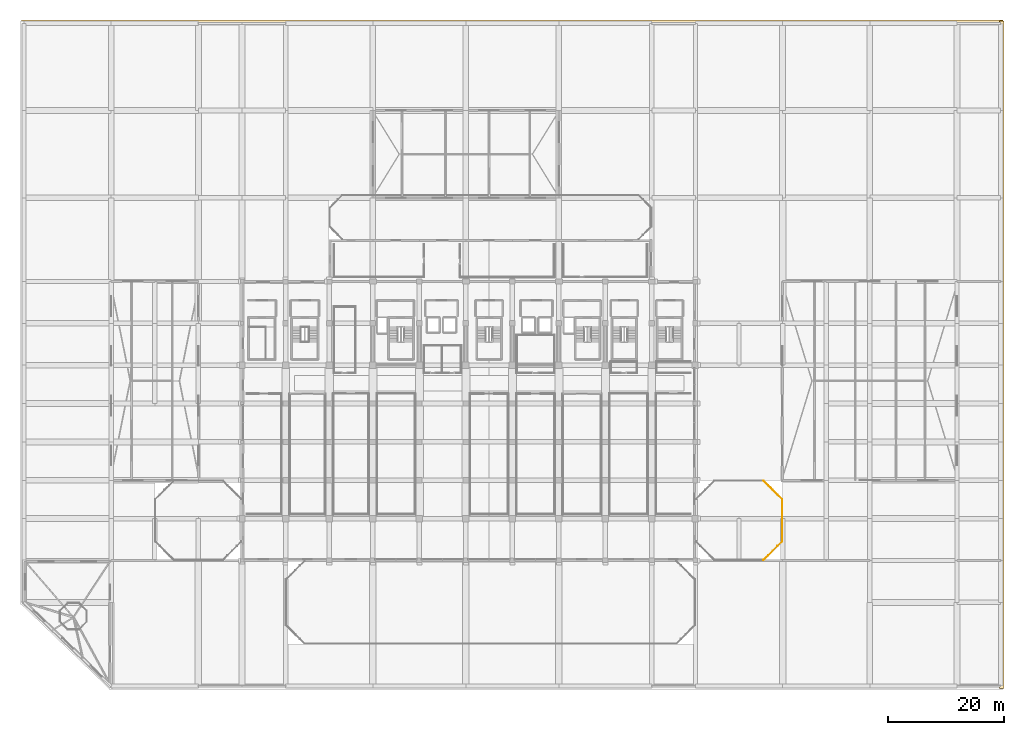
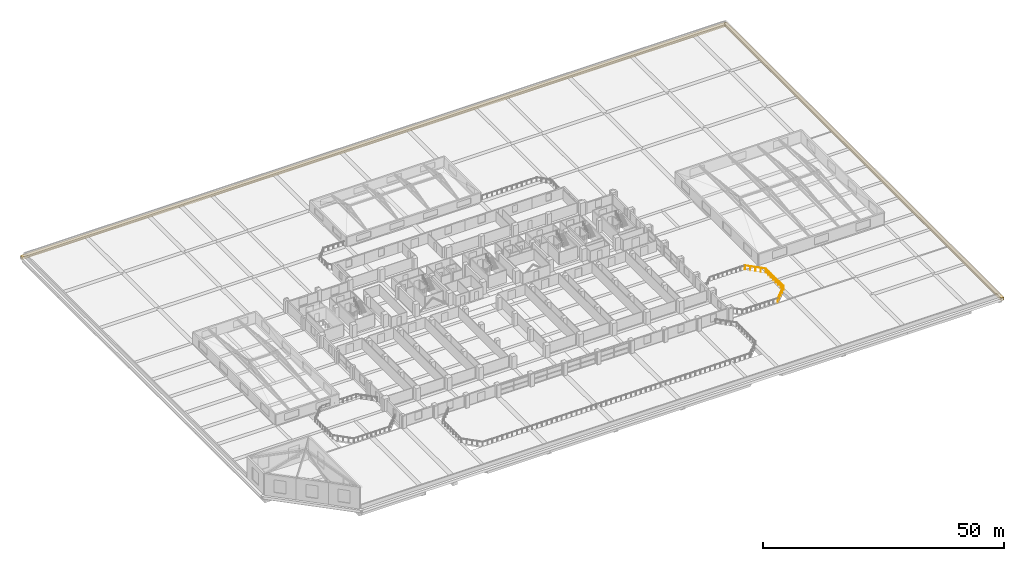
# One storey, part 49 of 49: 3 railings, 2 coverings.
"""IFC4 building model written with IfcOpenShell, lengths in metres."""

from ifc_helpers import new_model, si_unit, direction, frame, origin, origin_2d, place, context, subcontext, project, spatial, rectangle, circle, extrude, material, layer, layer_set, type_object, element, save


model = new_model("IFC4")

# Units and contexts
model_context = context("Model", 3, precision=1e-05, world=origin(), true_north=direction((0.0, 1.0)))
body_context = subcontext(model_context, "Body", "Model", "MODEL_VIEW")
ifc_project = project(units=[si_unit("LENGTHUNIT", "METRE"), si_unit("AREAUNIT", "SQUARE_METRE"), si_unit("VOLUMEUNIT", "CUBIC_METRE"), si_unit("PLANEANGLEUNIT", "RADIAN"), si_unit("MASSUNIT", "GRAM", prefix="KILO")], contexts=[model_context])

# Site, building, storey
site_placement = place(None, origin())
site = spatial("IfcSite", under=ifc_project, at=site_placement, CompositionType="ELEMENT")
building_placement = place(site_placement, origin())
building = spatial("IfcBuilding", under=site, at=building_placement, Name="Akrevak Sports Hall", CompositionType="ELEMENT")
storey_placement = place(building_placement, frame((0.0, 0.0, 24.14990234375)))
storey = spatial("IfcBuildingStorey", under=building, at=storey_placement, Name="L04", CompositionType="ELEMENT", Elevation=24.14990234375)

# Coverings
ifc_material_1 = material(Name="Limestone Ashlar", Category="stone")
ifc_layer_1 = layer(ifc_material_1, 0.6201171875, Name="Limestone Ashlar")
ifc_layer_set_1 = layer_set([ifc_layer_1], Name="Limestone Ashlar")
covering_type = type_object("IfcCoveringType", Name="ARC-COV-CRN-LIM", PredefinedType="MOLDING", material=ifc_layer_set_1)
covering_1_placement = place(storey_placement, frame((168.199951171875, 57.0, -0.3798828125), z_axis=(0.0, 0.0, 1.0), x_axis=(0.0, 1.0, 0.0)))
element("IfcCovering", 1, at=covering_1_placement, inside=storey, type_object=covering_type, Name="Podium Classical Limestone Cornice L04-ENT-02", PredefinedType="MOLDING", context=body_context, shape_type="SweptSolid", body=[
    extrude(rectangle(XDim=114.81201171875, YDim=0.760009765625, at=origin_2d()), origin(), (0.0, 0.0, 1.0), 0.6201171875),
])
covering_2_placement = place(storey_placement, frame((84.0, 114.199951171875, -0.3798828125), z_axis=(0.0, 0.0, 1.0), x_axis=(-1.0, 0.0, 0.0)))
element("IfcCovering", 2, at=covering_2_placement, inside=storey, type_object=covering_type, Name="Podium Classical Limestone Cornice L04-ENT-03", PredefinedType="MOLDING", context=body_context, shape_type="SweptSolid", body=[
    extrude(rectangle(XDim=168.81201171875, YDim=0.760009765625, at=origin_2d()), origin(), (0.0, 0.0, 1.0), 0.6201171875),
])

# Railings
ifc_material_2 = material(Name="Limestone Ashlar & Bronze Cap", Category="stone")
ifc_layer_2 = layer(ifc_material_2, 0.139892578125, Name="Limestone Ashlar & Bronze Cap")
ifc_layer_set_2 = layer_set([ifc_layer_2], Name="Limestone Ashlar & Bronze Cap")
railing_type = type_object("IfcRailingType", Name="ARC-RL-BAL-1120", PredefinedType="BALUSTRADE", material=ifc_layer_set_2)
railing_1_placement = place(storey_placement, frame((127.219970703125, 21.679931640625, 0.0)))
element("IfcRailing", 3, at=railing_1_placement, inside=storey, type_object=railing_type, Name="Terrace Perimeter Balustrade L04-2.2", PredefinedType="BALUSTRADE", context=body_context, shape_type="SweptSolid", body=[
    extrude(circle(Radius=0.02392578125, at=origin_2d()), frame((0.0, 0.0, 1.09619140625), z_axis=(0.707106781187, 0.707106781187, 0.0), x_axis=(-0.707106781187, 0.707106781187, 0.0)), (0.0, 0.0, 1.0), 4.525390625),
    extrude(circle(Radius=0.02099609375, at=origin_2d()), origin(), (0.0, 0.0, 1.0), 1.072021484375),
    extrude(circle(Radius=0.02099609375, at=origin_2d()), frame((0.800048828125, 0.800048828125, 0.0)), (0.0, 0.0, 1.0), 1.072021484375),
    extrude(circle(Radius=0.02099609375, at=origin_2d()), frame((1.60009765625, 1.60009765625, 0.0)), (0.0, 0.0, 1.0), 1.072021484375),
    extrude(circle(Radius=0.02099609375, at=origin_2d()), frame((2.39990234375, 2.39990234375, 0.0)), (0.0, 0.0, 1.0), 1.072021484375),
    extrude(circle(Radius=0.02099609375, at=origin_2d()), frame((3.199951171875, 3.199951171875, 0.0)), (0.0, 0.0, 1.0), 1.072021484375),
])
railing_2_placement = place(storey_placement, frame((130.419921875, 24.8798828125, 0.0)))
element("IfcRailing", 4, at=railing_2_placement, inside=storey, type_object=railing_type, Name="Terrace Perimeter Balustrade L04-2.3", PredefinedType="BALUSTRADE", context=body_context, shape_type="SweptSolid", body=[
    extrude(circle(Radius=0.02392578125, at=origin_2d()), frame((0.0, 0.0, 1.09619140625), z_axis=(0.0, 1.0, 0.0), x_axis=(-1.0, 0.0, 0.0)), (0.0, 0.0, 1.0), 7.240234375),
    extrude(circle(Radius=0.02099609375, at=origin_2d()), origin(), (0.0, 0.0, 1.0), 1.072021484375),
    extrude(circle(Radius=0.02099609375, at=origin_2d()), frame((0.0, 1.034423828125, 0.0)), (0.0, 0.0, 1.0), 1.072021484375),
    extrude(circle(Radius=0.02099609375, at=origin_2d()), frame((0.0, 2.068603515625, 0.0)), (0.0, 0.0, 1.0), 1.072021484375),
    extrude(circle(Radius=0.02099609375, at=origin_2d()), frame((0.0, 3.10302734375, 0.0)), (0.0, 0.0, 1.0), 1.072021484375),
    extrude(circle(Radius=0.02099609375, at=origin_2d()), frame((0.0, 4.13720703125, 0.0)), (0.0, 0.0, 1.0), 1.072021484375),
    extrude(circle(Radius=0.02099609375, at=origin_2d()), frame((0.0, 5.171630859375, 0.0)), (0.0, 0.0, 1.0), 1.072021484375),
    extrude(circle(Radius=0.02099609375, at=origin_2d()), frame((0.0, 6.205810546875, 0.0)), (0.0, 0.0, 1.0), 1.072021484375),
    extrude(circle(Radius=0.02099609375, at=origin_2d()), frame((0.0, 7.240234375, 0.0)), (0.0, 0.0, 1.0), 1.072021484375),
])
railing_3_placement = place(storey_placement, frame((130.419921875, 32.1201171875, 0.0)))
element("IfcRailing", 5, at=railing_3_placement, inside=storey, type_object=railing_type, Name="Terrace Perimeter Balustrade L04-2.4", PredefinedType="BALUSTRADE", context=body_context, shape_type="SweptSolid", body=[
    extrude(circle(Radius=0.02392578125, at=origin_2d()), frame((0.0, 0.0, 1.09619140625), z_axis=(-0.707106781187, 0.707106781187, 0.0), x_axis=(-0.707106781187, -0.707106781187, 0.0)), (0.0, 0.0, 1.0), 4.525390625),
    extrude(circle(Radius=0.02099609375, at=origin_2d()), origin(), (0.0, 0.0, 1.0), 1.072021484375),
    extrude(circle(Radius=0.02099609375, at=origin_2d()), frame((-0.800048828125, 0.800048828125, 0.0)), (0.0, 0.0, 1.0), 1.072021484375),
    extrude(circle(Radius=0.02099609375, at=origin_2d()), frame((-1.60009765625, 1.60009765625, 0.0)), (0.0, 0.0, 1.0), 1.072021484375),
    extrude(circle(Radius=0.02099609375, at=origin_2d()), frame((-2.39990234375, 2.39990234375, 0.0)), (0.0, 0.0, 1.0), 1.072021484375),
    extrude(circle(Radius=0.02099609375, at=origin_2d()), frame((-3.199951171875, 3.199951171875, 0.0)), (0.0, 0.0, 1.0), 1.072021484375),
])

save(model, "model.ifc")
